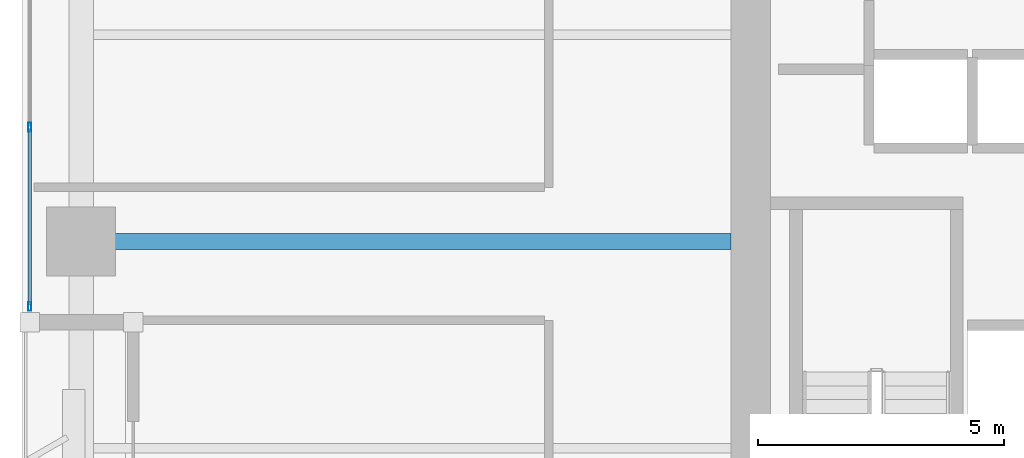
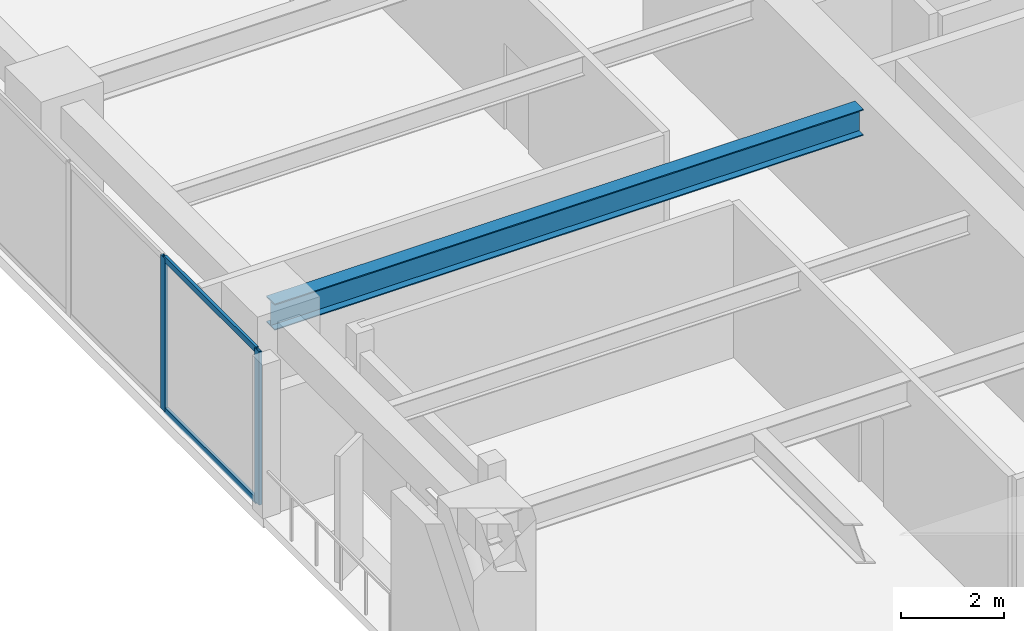
# One storey, part 2 of 24: 4 members, 1 beam, 1 element without a shape of its own.
"""IFC4 building model written with IfcOpenShell, lengths in metres."""

from ifc_helpers import new_model, si_unit, direction, frame, origin, origin_2d, place, context, subcontext, project, spatial, hollow_rectangle, i_section, extrude, material, layer, layer_set, material_profile, profile_set, type_object, element, aggregate, save


model = new_model("IFC4")

# Units and contexts
model_context = context("Model", 3, precision=1e-05, world=origin(), true_north=direction((0.0, 1.0)))
body_context = subcontext(model_context, "Body", "Model", "MODEL_VIEW")
ifc_project = project(units=[si_unit("LENGTHUNIT", "METRE"), si_unit("AREAUNIT", "SQUARE_METRE"), si_unit("VOLUMEUNIT", "CUBIC_METRE"), si_unit("PLANEANGLEUNIT", "RADIAN"), si_unit("MASSUNIT", "GRAM", prefix="KILO")], contexts=[model_context])

# Site, building, storey
site_placement = place(None, origin())
site = spatial("IfcSite", under=ifc_project, at=site_placement, CompositionType="ELEMENT")
building_placement = place(site_placement, origin())
building = spatial("IfcBuilding", under=site, at=building_placement, Name="Kiyonajd Concourse Tower", CompositionType="ELEMENT")
storey_placement = place(building_placement, frame((0.0, 0.0, 129.89990234375)))
storey = spatial("IfcBuildingStorey", under=building, at=storey_placement, Name="L33", CompositionType="ELEMENT", Elevation=129.89990234375)

# Beam
ifc_material_1 = material(Name="Steel ASTM A992 Grade 50", Category="steel")
ifc_material_profile_1 = material_profile(ifc_material_1, i_section(OverallWidth=0.326904296875, OverallDepth=0.6220703125, WebThickness=0.015380859375, FlangeThickness=0.0244140625, at=origin_2d()), Name="W610X195")
ifc_profile_set_1 = profile_set([ifc_material_profile_1], Name="Steel ASTM A992 Grade 50")
beam_type = type_object("IfcBeamType", Name="BM-TWR-610A", PredefinedType="BEAM", material=ifc_profile_set_1)
beam_placement = place(storey_placement, frame((19.199951171875, 36.0, 3.3291015625), z_axis=(1.0, 0.0, 0.0), x_axis=(0.0, 1.0, 0.0)))
element("IfcBeam", 1, at=beam_placement, inside=storey, type_object=beam_type, Name="L33 West Lease Girder", PredefinedType="BEAM", context=body_context, shape_type="SweptSolid", body=[
    extrude(i_section(OverallWidth=0.326904296875, OverallDepth=0.6220703125, WebThickness=0.015380859375, FlangeThickness=0.0244140625, at=origin_2d()), origin(), (0.0, 0.0, 1.0), 13.199951171875),
])

# Curtain wall, members
ifc_material_2 = material(Name="Thermally Broken Anodised Aluminium", Category="aluminium")
ifc_layer = layer(ifc_material_2, 0.179931640625)
ifc_layer_set = layer_set([ifc_layer], Name="Thermally Broken Anodised Aluminium")
curtain_wall_type = type_object("IfcCurtainWallType", Name="CW-SYS-03", PredefinedType="NOTDEFINED", material=ifc_layer_set)
curtain_wall_placement = place(storey_placement, origin())
curtain_wall = element("IfcCurtainWall", 2, at=curtain_wall_placement, inside=storey, type_object=curtain_wall_type, Name="L33 Unitised Curtain Wall CW3", PredefinedType="NOTDEFINED")
ifc_material_profile_2 = material_profile(ifc_material_2, hollow_rectangle(XDim=0.06494140625, YDim=0.179931640625, WallThickness=0.00390625, at=origin_2d()), Name="MULL-65x180")
ifc_profile_set_2 = profile_set([ifc_material_profile_2], Name="Thermally Broken Anodised Aluminium")
member_type_1 = type_object("IfcMemberType", Name="MB-CW-MULL1", PredefinedType="MULLION", material=ifc_profile_set_2)
member_1_placement = place(storey_placement, frame((18.159912109375, 34.6826171875, 0.0), z_axis=(0.0, 0.0, 1.0), x_axis=(-1.0, 0.0, 0.0)))
member_1 = element("IfcMember", 3, at=member_1_placement, type_object=member_type_1, Name="CW3 mullion 1", PredefinedType="MULLION", context=body_context, shape_type="SweptSolid", body=[
    extrude(hollow_rectangle(XDim=0.06494140625, YDim=0.179931640625, WallThickness=0.00390625, at=origin_2d()), origin(), (0.0, 0.0, 1.0), 3.64013671875),
])
member_2_placement = place(storey_placement, frame((18.159912109375, 38.3232421875, 0.0), z_axis=(0.0, 0.0, 1.0), x_axis=(-1.0, 0.0, 0.0)))
member_2 = element("IfcMember", 4, at=member_2_placement, type_object=member_type_1, Name="CW3 mullion 2", PredefinedType="MULLION", context=body_context, shape_type="SweptSolid", body=[
    extrude(hollow_rectangle(XDim=0.06494140625, YDim=0.179931640625, WallThickness=0.00390625, at=origin_2d()), origin(), (0.0, 0.0, 1.0), 3.64013671875),
])
ifc_material_profile_3 = material_profile(ifc_material_2, hollow_rectangle(XDim=0.06494140625, YDim=0.139892578125, WallThickness=0.00390625, at=origin_2d()), Name="TRAN-65x140")
ifc_profile_set_3 = profile_set([ifc_material_profile_3], Name="Thermally Broken Anodised Aluminium")
member_type_2 = type_object("IfcMemberType", Name="MB-CW-TRAN1", PredefinedType="USERDEFINED", material=ifc_profile_set_3)
member_3_placement = place(storey_placement, frame((18.159912109375, 34.715087890625, 0.03271484375), z_axis=(0.0, 1.0, 0.0), x_axis=(-1.0, 0.0, 0.0)))
member_3 = element("IfcMember", 5, at=member_3_placement, type_object=member_type_2, Name="CW3 transom 1.1", ObjectType="TRANSOM", PredefinedType="USERDEFINED", context=body_context, shape_type="SweptSolid", body=[
    extrude(hollow_rectangle(XDim=0.06494140625, YDim=0.139892578125, WallThickness=0.00390625, at=origin_2d()), origin(), (0.0, 0.0, 1.0), 3.57568359375),
])
member_4_placement = place(storey_placement, frame((18.159912109375, 34.715087890625, 3.607666015625), z_axis=(0.0, 1.0, 0.0), x_axis=(-1.0, 0.0, 0.0)))
member_4 = element("IfcMember", 6, at=member_4_placement, type_object=member_type_2, Name="CW3 transom 1.2", ObjectType="TRANSOM", PredefinedType="USERDEFINED", context=body_context, shape_type="SweptSolid", body=[
    extrude(hollow_rectangle(XDim=0.06494140625, YDim=0.139892578125, WallThickness=0.00390625, at=origin_2d()), origin(), (0.0, 0.0, 1.0), 3.57568359375),
])
aggregate(curtain_wall, [member_1, member_2, member_3, member_4])

save(model, "model.ifc")
